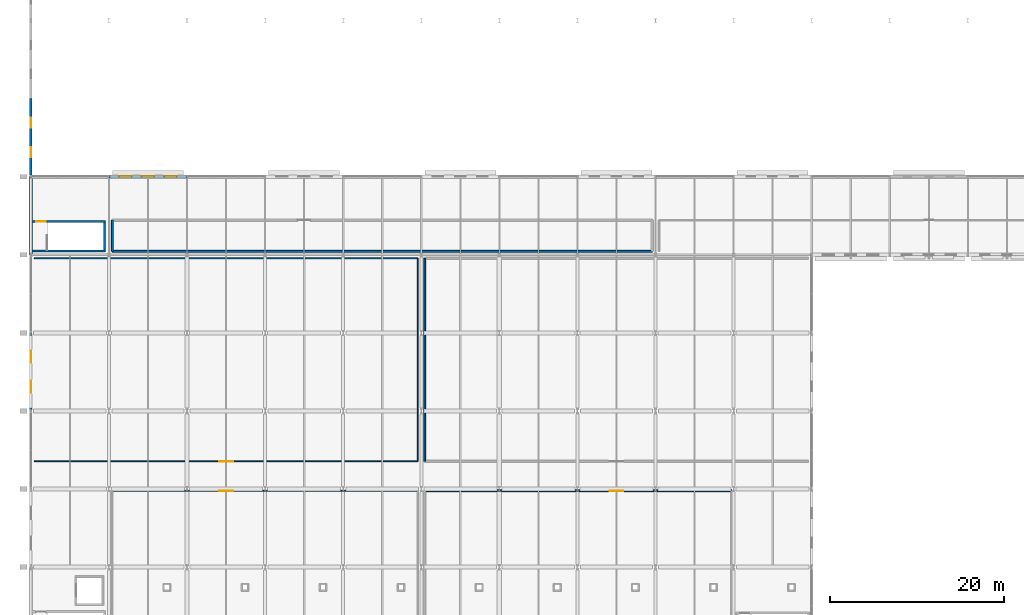
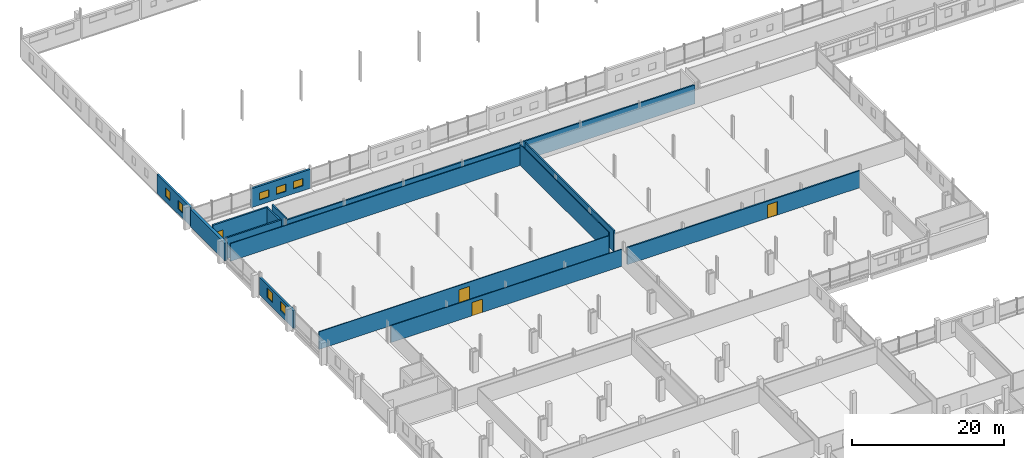
# One storey, part 106 of 132: 15 walls, 7 windows, 4 doors, 11 openings.
"""IFC4 building model written with IfcOpenShell, lengths in metres."""

from ifc_helpers import new_model, si_unit, direction, frame, frame_2d, origin, place, context, subcontext, project, spatial, rectangle, extrude, material, layer, layer_set, type_object, element, fill, save


model = new_model("IFC4")

# Units and contexts
model_context = context("Model", 3, precision=1e-05, world=origin(), true_north=direction((0.0, 1.0)))
body_context = subcontext(model_context, "Body", "Model", "MODEL_VIEW")
ifc_project = project(units=[si_unit("LENGTHUNIT", "METRE"), si_unit("AREAUNIT", "SQUARE_METRE"), si_unit("VOLUMEUNIT", "CUBIC_METRE"), si_unit("PLANEANGLEUNIT", "RADIAN"), si_unit("MASSUNIT", "GRAM", prefix="KILO")], contexts=[model_context])

# Site, building, storey
site_placement = place(None, origin())
site = spatial("IfcSite", under=ifc_project, at=site_placement, CompositionType="ELEMENT")
building_placement = place(site_placement, origin())
building = spatial("IfcBuilding", under=site, at=building_placement, Name="Tharagai Park Tramway Depot", CompositionType="ELEMENT")
storey_placement = place(building_placement, frame((0.0, 0.0, 4.800048828125)))
storey = spatial("IfcBuildingStorey", under=building, at=storey_placement, Name="L01", CompositionType="ELEMENT", Elevation=4.800048828125)

# Wall
ifc_material_1 = material(Name="Charnockite stone", Category="masonry")
ifc_layer_1 = layer(ifc_material_1, 0.419921875)
ifc_layer_set_1 = layer_set([ifc_layer_1], Name="Charnockite stone")
wall_type_1 = type_object("IfcWallType", Name="EW-07", PredefinedType="SOLIDWALL", material=ifc_layer_set_1)
wall_1_placement = place(storey_placement, frame((0.0, 90.00390625, 0.0), z_axis=(0.0, 0.0, 1.0), x_axis=(0.0, 1.0, 0.0)))
element("IfcWall", 1, at=wall_1_placement, inside=storey, type_object=wall_type_1, Name="L01 V1 Exterior Masonry Wall EW-07", PredefinedType="SOLIDWALL", context=body_context, shape_type="SweptSolid", body=[
    extrude(rectangle(XDim=8.9921875, YDim=0.419921875, at=frame_2d((4.49609375, 0.0))), origin(), (0.0, 0.0, 1.0), 2.842041015625),
])

# Wall, openings, windows
ifc_material_2 = material(Name="Pressed clay brick", Category="masonry")
ifc_layer_2 = layer(ifc_material_2, 0.300048828125)
ifc_layer_set_2 = layer_set([ifc_layer_2], Name="Pressed clay brick")
wall_type_2 = type_object("IfcWallType", Name="EW-08", PredefinedType="SOLIDWALL", material=ifc_layer_set_2)
wall_2_placement = place(storey_placement, frame((9.00390625, 99.0, 0.0), z_axis=(0.0, 0.0, 1.0), x_axis=(1.0, 0.0, 0.0)))
wall_2 = element("IfcWall", 2, at=wall_2_placement, inside=storey, type_object=wall_type_2, Name="L01 V1 Exterior Masonry Wall EW-08", PredefinedType="SOLIDWALL", context=body_context, shape_type="SweptSolid", body=[
    extrude(rectangle(XDim=8.9921875, YDim=0.300048828125, at=frame_2d((4.49609375, 0.0))), origin(), (0.0, 0.0, 1.0), 3.0419921875),
])
opening_1_placement = place(wall_2_placement, frame((1.18310546875, 0.0, 0.800048828125)))
opening_1 = element("IfcOpeningElement", 3, at=opening_1_placement, cuts=wall_2, Name="Opening WN-16", PredefinedType="OPENING", context=body_context, shape_type="SweptSolid", body=[
    extrude(rectangle(XDim=1.419921875, YDim=1.159912109375, at=frame_2d((0.7099609375, 0.580078125))), frame((0.0, 0.159912109375, 0.0), z_axis=(0.0, -1.0, 0.0), x_axis=(1.0, 0.0, 0.0)), (0.0, 0.0, 1.0), 0.320068359375),
])
opening_2_placement = place(wall_2_placement, frame((3.785888671875, 0.0, 0.800048828125)))
opening_2 = element("IfcOpeningElement", 4, at=opening_2_placement, cuts=wall_2, Name="Opening WN-16", PredefinedType="OPENING", context=body_context, shape_type="SweptSolid", body=[
    extrude(rectangle(XDim=1.419921875, YDim=1.159912109375, at=frame_2d((0.7099609375, 0.580078125))), frame((0.0, 0.159912109375, 0.0), z_axis=(0.0, -1.0, 0.0), x_axis=(1.0, 0.0, 0.0)), (0.0, 0.0, 1.0), 0.320068359375),
])
opening_3_placement = place(wall_2_placement, frame((6.388916015625, 0.0, 0.800048828125)))
opening_3 = element("IfcOpeningElement", 5, at=opening_3_placement, cuts=wall_2, Name="Opening WN-16", PredefinedType="OPENING", context=body_context, shape_type="SweptSolid", body=[
    extrude(rectangle(XDim=1.419921875, YDim=1.159912109375, at=frame_2d((0.7099609375, 0.580078125))), frame((0.0, 0.159912109375, 0.0), z_axis=(0.0, -1.0, 0.0), x_axis=(1.0, 0.0, 0.0)), (0.0, 0.0, 1.0), 0.320068359375),
])
ifc_material_3 = material(Name="Laminated solar-control glass", Category="glass")
window_type_1 = type_object("IfcWindowType", Name="WN-16", PartitioningType="SINGLE_PANEL", PredefinedType="WINDOW", material=ifc_material_3)
window_1_placement = place(opening_1_placement, origin())
window_1 = element("IfcWindow", 6, at=window_1_placement, inside=storey, type_object=window_type_1, Name="L01 V1 Gothic Lancet Window WN-16", OverallHeight=1.159912109375, OverallWidth=1.419921875, PartitioningType="SINGLE_PANEL", PredefinedType="WINDOW", context=body_context, shape_type="SweptSolid", body=[
    extrude(rectangle(XDim=1.419921875, YDim=1.159912109375, at=frame_2d((0.7099609375, 0.580078125))), frame((0.0, 0.030029296875, 0.0), z_axis=(0.0, -1.0, 0.0), x_axis=(1.0, 0.0, 0.0)), (0.0, 0.0, 1.0), 0.06005859375),
])
fill(opening_1, window_1)
window_2_placement = place(opening_2_placement, origin())
window_2 = element("IfcWindow", 7, at=window_2_placement, inside=storey, type_object=window_type_1, Name="L01 V1 Gothic Lancet Window WN-16", OverallHeight=1.159912109375, OverallWidth=1.419921875, PartitioningType="SINGLE_PANEL", PredefinedType="WINDOW", context=body_context, shape_type="SweptSolid", body=[
    extrude(rectangle(XDim=1.419921875, YDim=1.159912109375, at=frame_2d((0.7099609375, 0.580078125))), frame((0.0, 0.030029296875, 0.0), z_axis=(0.0, -1.0, 0.0), x_axis=(1.0, 0.0, 0.0)), (0.0, 0.0, 1.0), 0.06005859375),
])
fill(opening_2, window_2)
window_3_placement = place(opening_3_placement, origin())
window_3 = element("IfcWindow", 8, at=window_3_placement, inside=storey, type_object=window_type_1, Name="L01 V1 Gothic Lancet Window WN-16", OverallHeight=1.159912109375, OverallWidth=1.419921875, PartitioningType="SINGLE_PANEL", PredefinedType="WINDOW", context=body_context, shape_type="SweptSolid", body=[
    extrude(rectangle(XDim=1.419921875, YDim=1.159912109375, at=frame_2d((0.7099609375, 0.580078125))), frame((0.0, 0.030029296875, 0.0), z_axis=(0.0, -1.0, 0.0), x_axis=(1.0, 0.0, 0.0)), (0.0, 0.0, 1.0), 0.06005859375),
])
fill(opening_3, window_3)

wall_3_placement = place(storey_placement, frame((0.0, 72.00390625, 0.0), z_axis=(0.0, 0.0, 1.0), x_axis=(0.0, 1.0, 0.0)))
wall_3 = element("IfcWall", 9, at=wall_3_placement, inside=storey, type_object=wall_type_2, Name="L01 V2 Exterior Masonry Wall EW-08", PredefinedType="SOLIDWALL", context=body_context, shape_type="SweptSolid", body=[
    extrude(rectangle(XDim=8.9921875, YDim=0.300048828125, at=frame_2d((4.49609375, 0.0))), origin(), (0.0, 0.0, 1.0), 2.842041015625),
])
opening_4_placement = place(wall_3_placement, frame((2.076904296875, 0.0, 0.85009765625)))
opening_4 = element("IfcOpeningElement", 10, at=opening_4_placement, cuts=wall_3, Name="Opening WN-12", PredefinedType="OPENING", context=body_context, shape_type="SweptSolid", body=[
    extrude(rectangle(XDim=1.3798828125, YDim=1.52001953125, at=frame_2d((0.68994140625, 0.760009765625))), frame((0.0, 0.159912109375, 0.0), z_axis=(0.0, -1.0, 0.0), x_axis=(1.0, 0.0, 0.0)), (0.0, 0.0, 1.0), 0.320068359375),
])
opening_5_placement = place(wall_3_placement, frame((5.534912109375, 0.0, 0.85009765625)))
opening_5 = element("IfcOpeningElement", 11, at=opening_5_placement, cuts=wall_3, Name="Opening WN-12", PredefinedType="OPENING", context=body_context, shape_type="SweptSolid", body=[
    extrude(rectangle(XDim=1.3798828125, YDim=1.52001953125, at=frame_2d((0.68994140625, 0.760009765625))), frame((0.0, 0.159912109375, 0.0), z_axis=(0.0, -1.0, 0.0), x_axis=(1.0, 0.0, 0.0)), (0.0, 0.0, 1.0), 0.320068359375),
])
window_type_2 = type_object("IfcWindowType", Name="WN-12", PartitioningType="SINGLE_PANEL", PredefinedType="WINDOW", material=ifc_material_3)
window_4_placement = place(opening_4_placement, origin())
window_4 = element("IfcWindow", 12, at=window_4_placement, inside=storey, type_object=window_type_2, Name="L01 V2 Side Lancet Window WN-12", OverallHeight=1.52001953125, OverallWidth=1.3798828125, PartitioningType="SINGLE_PANEL", PredefinedType="WINDOW", context=body_context, shape_type="SweptSolid", body=[
    extrude(rectangle(XDim=1.3798828125, YDim=1.52001953125, at=frame_2d((0.68994140625, 0.760009765625))), frame((0.0, 0.030029296875, 0.0), z_axis=(0.0, -1.0, 0.0), x_axis=(1.0, 0.0, 0.0)), (0.0, 0.0, 1.0), 0.06005859375),
])
fill(opening_4, window_4)
window_5_placement = place(opening_5_placement, origin())
window_5 = element("IfcWindow", 13, at=window_5_placement, inside=storey, type_object=window_type_2, Name="L01 V2 Side Lancet Window WN-12", OverallHeight=1.52001953125, OverallWidth=1.3798828125, PartitioningType="SINGLE_PANEL", PredefinedType="WINDOW", context=body_context, shape_type="SweptSolid", body=[
    extrude(rectangle(XDim=1.3798828125, YDim=1.52001953125, at=frame_2d((0.68994140625, 0.760009765625))), frame((0.0, 0.030029296875, 0.0), z_axis=(0.0, -1.0, 0.0), x_axis=(1.0, 0.0, 0.0)), (0.0, 0.0, 1.0), 0.06005859375),
])
fill(opening_5, window_5)

wall_4_placement = place(storey_placement, frame((0.0, 99.00390625, 0.0), z_axis=(0.0, 0.0, 1.0), x_axis=(0.0, 1.0, 0.0)))
wall_4 = element("IfcWall", 14, at=wall_4_placement, inside=storey, type_object=wall_type_2, Name="L01 V1 Exterior Masonry Wall EW-08", PredefinedType="SOLIDWALL", context=body_context, shape_type="SweptSolid", body=[
    extrude(rectangle(XDim=8.99609375, YDim=0.300048828125, at=frame_2d((4.498046875, 0.0))), origin(), (0.0, 0.0, 1.0), 3.0419921875),
])
opening_6_placement = place(wall_4_placement, frame((2.22509765625, 0.0, 0.85009765625)))
opening_6 = element("IfcOpeningElement", 15, at=opening_6_placement, cuts=wall_4, Name="Opening WN-42", PredefinedType="OPENING", context=body_context, shape_type="SweptSolid", body=[
    extrude(rectangle(XDim=1.159912109375, YDim=1.39990234375, at=frame_2d((0.580078125, 0.699951171875))), frame((0.0, 0.159912109375, 0.0), z_axis=(0.0, -1.0, 0.0), x_axis=(1.0, 0.0, 0.0)), (0.0, 0.0, 1.0), 0.320068359375),
])
opening_7_placement = place(wall_4_placement, frame((5.611083984375, 0.0, 0.85009765625)))
opening_7 = element("IfcOpeningElement", 16, at=opening_7_placement, cuts=wall_4, Name="Opening WN-42", PredefinedType="OPENING", context=body_context, shape_type="SweptSolid", body=[
    extrude(rectangle(XDim=1.159912109375, YDim=1.39990234375, at=frame_2d((0.580078125, 0.699951171875))), frame((0.0, 0.159912109375, 0.0), z_axis=(0.0, -1.0, 0.0), x_axis=(1.0, 0.0, 0.0)), (0.0, 0.0, 1.0), 0.320068359375),
])
window_type_3 = type_object("IfcWindowType", Name="WN-42", PartitioningType="SINGLE_PANEL", PredefinedType="WINDOW", material=ifc_material_3)
window_6_placement = place(opening_6_placement, origin())
window_6 = element("IfcWindow", 17, at=window_6_placement, inside=storey, type_object=window_type_3, Name="L01 V1 Side Lancet Window WN-42", OverallHeight=1.39990234375, OverallWidth=1.159912109375, PartitioningType="SINGLE_PANEL", PredefinedType="WINDOW", context=body_context, shape_type="SweptSolid", body=[
    extrude(rectangle(XDim=1.159912109375, YDim=1.39990234375, at=frame_2d((0.580078125, 0.699951171875))), frame((0.0, 0.030029296875, 0.0), z_axis=(0.0, -1.0, 0.0), x_axis=(1.0, 0.0, 0.0)), (0.0, 0.0, 1.0), 0.06005859375),
])
fill(opening_6, window_6)
window_7_placement = place(opening_7_placement, origin())
window_7 = element("IfcWindow", 18, at=window_7_placement, inside=storey, type_object=window_type_3, Name="L01 V1 Side Lancet Window WN-42", OverallHeight=1.39990234375, OverallWidth=1.159912109375, PartitioningType="SINGLE_PANEL", PredefinedType="WINDOW", context=body_context, shape_type="SweptSolid", body=[
    extrude(rectangle(XDim=1.159912109375, YDim=1.39990234375, at=frame_2d((0.580078125, 0.699951171875))), frame((0.0, 0.030029296875, 0.0), z_axis=(0.0, -1.0, 0.0), x_axis=(1.0, 0.0, 0.0)), (0.0, 0.0, 1.0), 0.06005859375),
])
fill(opening_7, window_7)

# Wall, opening, door
ifc_material_4 = material(Name="Gypsum board", Category="gypsum")
ifc_layer_3 = layer(ifc_material_4, 0.1201171875)
ifc_layer_set_3 = layer_set([ifc_layer_3], Name="Gypsum board")
wall_type_3 = type_object("IfcWallType", Name="IW-03", PredefinedType="PARTITIONING", material=ifc_layer_set_3)
wall_5_placement = place(storey_placement, frame((9.39990234375, 62.800048828125, 0.0), z_axis=(0.0, 0.0, 1.0), x_axis=(1.0, 0.0, 0.0)))
wall_5 = element("IfcWall", 19, at=wall_5_placement, inside=storey, type_object=wall_type_3, Name="Bogie Overhaul Workshop Partition North", PredefinedType="PARTITIONING", context=body_context, shape_type="SweptSolid", body=[
    extrude(rectangle(XDim=35.2001953125, YDim=0.1201171875, at=frame_2d((17.60009765625, 0.0))), origin(), (0.0, 0.0, 1.0), 2.744873046875),
])
opening_8_placement = place(wall_5_placement, frame((12.2900390625, 0.0, 0.0)))
opening_8 = element("IfcOpeningElement", 20, at=opening_8_placement, cuts=wall_5, Name="Opening ID-01", PredefinedType="OPENING", context=body_context, shape_type="SweptSolid", body=[
    extrude(rectangle(XDim=1.6201171875, YDim=2.139892578125, at=frame_2d((0.81005859375, 1.06982421875))), frame((0.0, 0.070068359375, 0.0), z_axis=(0.0, -1.0, 0.0), x_axis=(1.0, 0.0, 0.0)), (0.0, 0.0, 1.0), 0.14013671875),
])
ifc_material_5 = material(Name="Anodised aluminium", Category="aluminium")
door_type_1 = type_object("IfcDoorType", Name="ID-01", OperationType="DOUBLE_SWING_LEFT", PredefinedType="DOOR", material=ifc_material_5)
door_1_placement = place(opening_8_placement, origin())
door_1 = element("IfcDoor", 21, at=door_1_placement, inside=storey, type_object=door_type_1, Name="Bogie Overhaul Workshop Door", OperationType="DOUBLE_SWING_LEFT", OverallHeight=2.139892578125, OverallWidth=1.6201171875, PredefinedType="DOOR", context=body_context, shape_type="SweptSolid", body=[
    extrude(rectangle(XDim=1.6201171875, YDim=2.139892578125, at=frame_2d((0.81005859375, 1.06982421875))), frame((0.0, 0.02490234375, 0.0), z_axis=(0.0, -1.0, 0.0), x_axis=(1.0, 0.0, 0.0)), (0.0, 0.0, 1.0), 0.050048828125),
])
fill(opening_8, door_1)

wall_6_placement = place(storey_placement, frame((0.39990234375, 66.199951171875, 0.0), z_axis=(0.0, 0.0, 1.0), x_axis=(1.0, 0.0, 0.0)))
wall_6 = element("IfcWall", 22, at=wall_6_placement, inside=storey, type_object=wall_type_3, Name="Pantograph and Brake Actuator Workshop Partition South", PredefinedType="PARTITIONING", context=body_context, shape_type="SweptSolid", body=[
    extrude(rectangle(XDim=44.2001953125, YDim=0.1201171875, at=frame_2d((22.10009765625, 0.0))), origin(), (0.0, 0.0, 1.0), 2.844970703125),
])
opening_9_placement = place(wall_6_placement, frame((21.2900390625, 0.0, 0.0)))
opening_9 = element("IfcOpeningElement", 23, at=opening_9_placement, cuts=wall_6, Name="Opening ID-01", PredefinedType="OPENING", context=body_context, shape_type="SweptSolid", body=[
    extrude(rectangle(XDim=1.6201171875, YDim=2.139892578125, at=frame_2d((0.81005859375, 1.06982421875))), frame((0.0, 0.070068359375, 0.0), z_axis=(0.0, -1.0, 0.0), x_axis=(1.0, 0.0, 0.0)), (0.0, 0.0, 1.0), 0.14013671875),
])
door_2_placement = place(opening_9_placement, frame((1.6201171875, 0.0, 0.0), z_axis=(0.0, 0.0, 1.0), x_axis=(-1.0, 0.0, 0.0)))
door_2 = element("IfcDoor", 24, at=door_2_placement, inside=storey, type_object=door_type_1, Name="Pantograph and Brake Actuator Workshop Door", OperationType="DOUBLE_SWING_LEFT", OverallHeight=2.139892578125, OverallWidth=1.6201171875, PredefinedType="DOOR", context=body_context, shape_type="SweptSolid", body=[
    extrude(rectangle(XDim=1.6201171875, YDim=2.139892578125, at=frame_2d((0.81005859375, 1.06982421875))), frame((0.0, 0.02490234375, 0.0), z_axis=(0.0, -1.0, 0.0), x_axis=(1.0, 0.0, 0.0)), (0.0, 0.0, 1.0), 0.050048828125),
])
fill(opening_9, door_2)

# Walls
wall_7_placement = place(storey_placement, frame((0.39990234375, 89.60009765625, 0.0), z_axis=(0.0, 0.0, 1.0), x_axis=(1.0, 0.0, 0.0)))
element("IfcWall", 25, at=wall_7_placement, inside=storey, type_object=wall_type_3, Name="Pantograph and Brake Actuator Workshop Partition North", PredefinedType="PARTITIONING", context=body_context, shape_type="SweptSolid", body=[
    extrude(rectangle(XDim=44.2001953125, YDim=0.1201171875, at=frame_2d((22.10009765625, 0.0))), origin(), (0.0, 0.0, 1.0), 2.844970703125),
])
wall_8_placement = place(storey_placement, frame((44.60009765625, 66.199951171875, 0.0), z_axis=(0.0, 0.0, 1.0), x_axis=(0.0, 1.0, 0.0)))
element("IfcWall", 26, at=wall_8_placement, inside=storey, type_object=wall_type_3, Name="Pantograph and Brake Actuator Workshop Partition East", PredefinedType="PARTITIONING", context=body_context, shape_type="SweptSolid", body=[
    extrude(rectangle(XDim=23.400146484375, YDim=0.1201171875, at=frame_2d((11.7001953125, 0.0))), origin(), (0.0, 0.0, 1.0), 3.349853515625),
])
ifc_layer_4 = layer(ifc_material_2, 0.219970703125)
ifc_layer_set_4 = layer_set([ifc_layer_4], Name="Pressed clay brick")
wall_type_4 = type_object("IfcWallType", Name="IW-05", PredefinedType="SOLIDWALL", material=ifc_layer_set_4)
wall_9_placement = place(storey_placement, frame((9.39990234375, 90.39990234375, 0.0), z_axis=(0.0, 0.0, 1.0), x_axis=(1.0, 0.0, 0.0)))
element("IfcWall", 27, at=wall_9_placement, inside=storey, type_object=wall_type_4, Name="DC Opportunity Charger Gallery West Partition South", PredefinedType="SOLIDWALL", context=body_context, shape_type="SweptSolid", body=[
    extrude(rectangle(XDim=62.2001953125, YDim=0.219970703125, at=frame_2d((31.10009765625, 0.0))), origin(), (0.0, 0.0, 1.0), 3.044921875),
])
wall_10_placement = place(storey_placement, frame((9.39990234375, 90.39990234375, 0.0), z_axis=(0.0, 0.0, 1.0), x_axis=(0.0, 1.0, 0.0)))
element("IfcWall", 28, at=wall_10_placement, inside=storey, type_object=wall_type_4, Name="DC Opportunity Charger Gallery West Partition West", PredefinedType="SOLIDWALL", context=body_context, shape_type="SweptSolid", body=[
    extrude(rectangle(XDim=3.60009765625, YDim=0.219970703125, at=frame_2d((1.800048828125, 0.0))), origin(), (0.0, 0.0, 1.0), 3.349853515625),
])

# Wall, opening, door
wall_11_placement = place(storey_placement, frame((45.39990234375, 62.800048828125, 0.0), z_axis=(0.0, 0.0, 1.0), x_axis=(1.0, 0.0, 0.0)))
wall_11 = element("IfcWall", 29, at=wall_11_placement, inside=storey, type_object=wall_type_4, Name="Traction Motor and Battery Workshop Partition North", PredefinedType="SOLIDWALL", context=body_context, shape_type="SweptSolid", body=[
    extrude(rectangle(XDim=35.400146484375, YDim=0.219970703125, at=frame_2d((17.7001953125, 0.0))), origin(), (0.0, 0.0, 1.0), 2.744873046875),
])
opening_10_placement = place(wall_11_placement, frame((21.340087890625, 0.0, 0.0)))
opening_10 = element("IfcOpeningElement", 30, at=opening_10_placement, cuts=wall_11, Name="Opening ID-11", PredefinedType="OPENING", context=body_context, shape_type="SweptSolid", body=[
    extrude(rectangle(XDim=1.52001953125, YDim=2.159912109375, at=frame_2d((0.760009765625, 1.080078125))), frame((0.0, 0.119873046875, 0.0), z_axis=(0.0, -1.0, 0.0), x_axis=(1.0, 0.0, 0.0)), (0.0, 0.0, 1.0), 0.239990234375),
])
ifc_material_6 = material(Name="Galvanised steel", Category="steel")
door_type_2 = type_object("IfcDoorType", Name="ID-11", OperationType="DOUBLE_SWING_LEFT", PredefinedType="DOOR", material=ifc_material_6)
door_3_placement = place(opening_10_placement, origin())
door_3 = element("IfcDoor", 31, at=door_3_placement, inside=storey, type_object=door_type_2, Name="Traction Motor and Battery Workshop Door", OperationType="DOUBLE_SWING_LEFT", OverallHeight=2.159912109375, OverallWidth=1.52001953125, PredefinedType="DOOR", context=body_context, shape_type="SweptSolid", body=[
    extrude(rectangle(XDim=1.52001953125, YDim=2.159912109375, at=frame_2d((0.760009765625, 1.080078125))), frame((0.0, 0.02490234375, 0.0), z_axis=(0.0, -1.0, 0.0), x_axis=(1.0, 0.0, 0.0)), (0.0, 0.0, 1.0), 0.050048828125),
])
fill(opening_10, door_3)

# Walls
wall_12_placement = place(storey_placement, frame((45.39990234375, 66.199951171875, 0.0), z_axis=(0.0, 0.0, 1.0), x_axis=(0.0, 1.0, 0.0)))
element("IfcWall", 32, at=wall_12_placement, inside=storey, type_object=wall_type_4, Name="Heavy Engineering Spares Store Partition West", PredefinedType="SOLIDWALL", context=body_context, shape_type="SweptSolid", body=[
    extrude(rectangle(XDim=23.400146484375, YDim=0.219970703125, at=frame_2d((11.7001953125, 0.0))), origin(), (0.0, 0.0, 1.0), 3.349853515625),
])
ifc_material_7 = material(Name="Concrete M40", Category="concrete")
ifc_layer_5 = layer(ifc_material_7, 0.239990234375)
ifc_layer_set_5 = layer_set([ifc_layer_5], Name="Concrete M40")
wall_type_5 = type_object("IfcWallType", Name="SW-01", PredefinedType="SHEAR", material=ifc_layer_set_5)
wall_13_placement = place(storey_placement, frame((0.159912109375, 90.429931640625, 0.0), z_axis=(0.0, 0.0, 1.0), x_axis=(1.0, 0.0, 0.0)))
element("IfcWall", 33, at=wall_13_placement, inside=storey, type_object=wall_type_5, Name="Core C10 L01 Shear Wall South", PredefinedType="SHEAR", context=body_context, shape_type="SweptSolid", body=[
    extrude(rectangle(XDim=8.440185546875, YDim=0.239990234375, at=frame_2d((4.22021484375, 0.0))), origin(), (0.0, 0.0, 1.0), 3.349853515625),
])

# Wall, opening, door
wall_14_placement = place(storey_placement, frame((0.159912109375, 93.860107421875, 0.0), z_axis=(0.0, 0.0, 1.0), x_axis=(1.0, 0.0, 0.0)))
wall_14 = element("IfcWall", 34, at=wall_14_placement, inside=storey, type_object=wall_type_5, Name="Core C10 L01 Shear Wall North", PredefinedType="SHEAR", context=body_context, shape_type="SweptSolid", body=[
    extrude(rectangle(XDim=8.440185546875, YDim=0.239990234375, at=frame_2d((4.22021484375, 0.0))), origin(), (0.0, 0.0, 1.0), 3.349853515625),
])
opening_11_placement = place(wall_14_placement, frame((0.4599609375, 0.0, 0.0)))
opening_11 = element("IfcOpeningElement", 35, at=opening_11_placement, cuts=wall_14, Name="Opening ID-05", PredefinedType="OPENING", context=body_context, shape_type="SweptSolid", body=[
    extrude(rectangle(XDim=1.080078125, YDim=2.080078125, at=frame_2d((0.5400390625, 1.0400390625))), frame((0.0, 0.1298828125, 0.0), z_axis=(0.0, -1.0, 0.0), x_axis=(1.0, 0.0, 0.0)), (0.0, 0.0, 1.0), 0.260009765625),
])
door_type_3 = type_object("IfcDoorType", Name="ID-05", OperationType="NOTDEFINED", PredefinedType="DOOR", material=ifc_material_6)
door_4_placement = place(opening_11_placement, frame((1.080078125, 0.0, 0.0), z_axis=(0.0, 0.0, 1.0), x_axis=(-1.0, 0.0, 0.0)))
door_4 = element("IfcDoor", 36, at=door_4_placement, inside=storey, type_object=door_type_3, Name="Stair ST-10 L01 Fire Door", OperationType="SINGLE_SWING_RIGHT", OverallHeight=2.080078125, OverallWidth=1.080078125, PredefinedType="DOOR", context=body_context, shape_type="SweptSolid", body=[
    extrude(rectangle(XDim=1.080078125, YDim=2.080078125, at=frame_2d((0.5400390625, 1.0400390625))), frame((0.0, 0.02490234375, 0.0), z_axis=(0.0, -1.0, 0.0), x_axis=(1.0, 0.0, 0.0)), (0.0, 0.0, 1.0), 0.050048828125),
])
fill(opening_11, door_4)

# Wall
wall_15_placement = place(storey_placement, frame((8.47998046875, 90.550048828125, 0.0), z_axis=(0.0, 0.0, 1.0), x_axis=(0.0, 1.0, 0.0)))
element("IfcWall", 37, at=wall_15_placement, inside=storey, type_object=wall_type_5, Name="Core C10 L01 Shear Wall East", PredefinedType="SHEAR", context=body_context, shape_type="SweptSolid", body=[
    extrude(rectangle(XDim=3.18994140625, YDim=0.239990234375, at=frame_2d((1.594970703125, 0.0))), origin(), (0.0, 0.0, 1.0), 3.349853515625),
])

save(model, "model.ifc")
